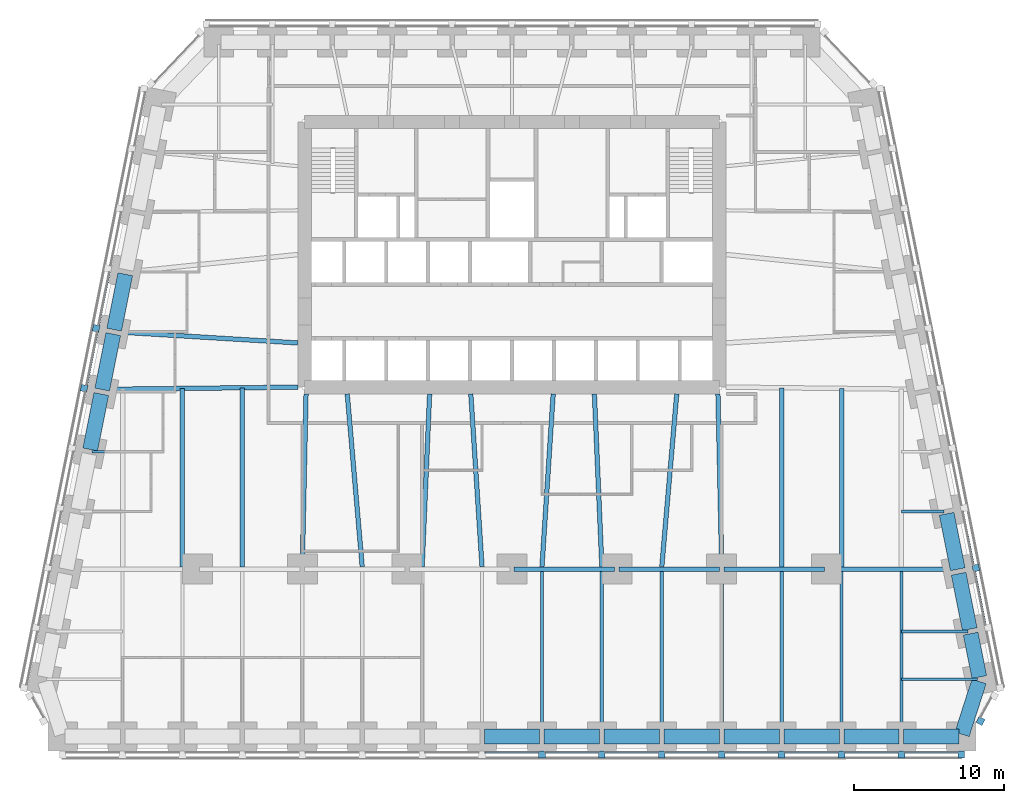
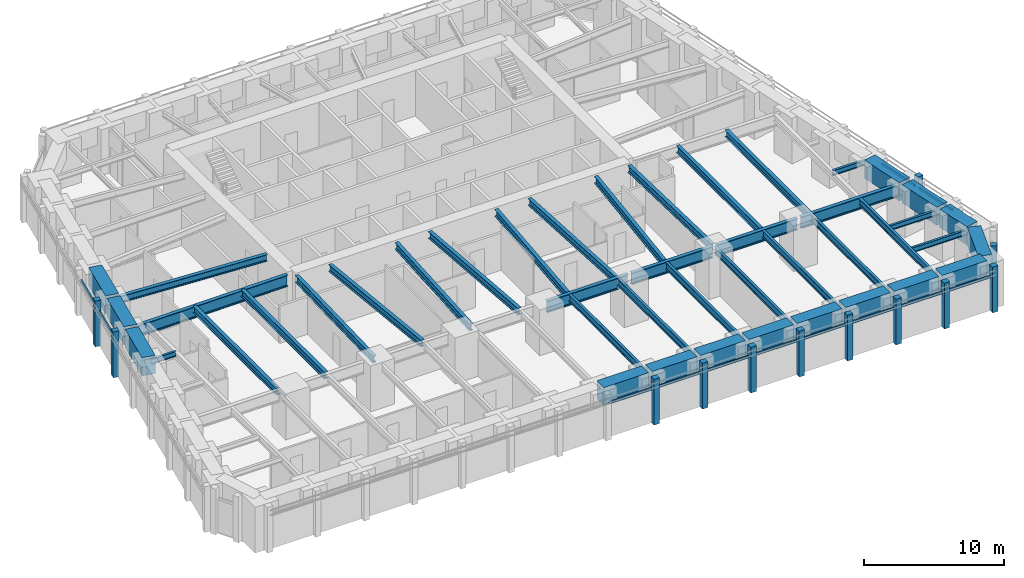
# One storey, part 2 of 10: 44 beams, 24 members, 4 elements without a shape of their own.
"""IFC4 building model written with IfcOpenShell, lengths in metres."""

from ifc_helpers import new_model, si_unit, direction, frame, origin, origin_2d, place, context, subcontext, project, spatial, rectangle, i_section, extrude, material, material_profile, profile_set, type_object, element, aggregate, save


model = new_model("IFC4")

# Units and contexts
model_context = context("Model", 3, precision=1e-05, world=origin(), true_north=direction((0.0, 1.0)))
body_context = subcontext(model_context, "Body", "Model", "MODEL_VIEW")
ifc_project = project(units=[si_unit("LENGTHUNIT", "METRE"), si_unit("AREAUNIT", "SQUARE_METRE"), si_unit("VOLUMEUNIT", "CUBIC_METRE"), si_unit("PLANEANGLEUNIT", "RADIAN"), si_unit("MASSUNIT", "GRAM", prefix="KILO")], contexts=[model_context])

# Site, building, storey
site_placement = place(None, origin())
site = spatial("IfcSite", under=ifc_project, at=site_placement, CompositionType="ELEMENT")
building_placement = place(site_placement, origin())
building = spatial("IfcBuilding", under=site, at=building_placement, Name="Isbrekke Arena Tower", CompositionType="ELEMENT")
storey_placement = place(building_placement, frame((0.0, 0.0, 56.0)))
storey = spatial("IfcBuildingStorey", under=building, at=storey_placement, Name="L11", CompositionType="ELEMENT", Elevation=56.0)

# Beams
ifc_material_1 = material(Name="Steel S355", Category="steel")
ifc_material_profile_1 = material_profile(ifc_material_1, i_section(OverallWidth=0.219970703125, OverallDepth=0.60009765625, WebThickness=0.011962890625, FlangeThickness=0.01904296875, FilletRadius=0.02392578125, at=origin_2d()), Name="IPE 600")
ifc_profile_set_1 = profile_set([ifc_material_profile_1], Name="Steel S355")
beam_type_1 = type_object("IfcBeamType", Name="B1 IPE 600", PredefinedType="BEAM", material=ifc_profile_set_1)
for number, where, z_axis, x_axis, name in (
    (1, (2.0, -17.02490234375, 3.550048828125), (0.0, 1.0, 0.0), (-1.0, 0.0, 0.0), "B1 beam S-S09 L11"),
    (2, (6.0, -17.02490234375, 3.550048828125), (0.0, 1.0, 0.0), (-1.0, 0.0, 0.0), "B1 beam S-S10 L11"),
    (3, (10.0, -17.02490234375, 3.550048828125), (0.0, 1.0, 0.0), (-1.0, 0.0, 0.0), "B1 beam S-S11 L11"),
):
    element("IfcBeam", number, at=place(storey_placement, frame(where, z_axis=z_axis, x_axis=x_axis)), inside=storey, type_object=beam_type_1, Name=name, PredefinedType="BEAM", context=body_context, shape_type="SweptSolid", body=[
        extrude(i_section(OverallWidth=0.219970703125, OverallDepth=0.60009765625, WebThickness=0.011962890625, FlangeThickness=0.01904296875, FilletRadius=0.02392578125, at=origin_2d()), origin(), (0.0, 0.0, 1.0), 10.8740234375),
    ])
beam_1_placement = place(storey_placement, frame((14.0, -17.02490234375, 3.550048828125), z_axis=(0.0, 1.0, 0.0), x_axis=(-1.0, 0.0, 0.0)))
element("IfcBeam", 4, at=beam_1_placement, inside=storey, type_object=beam_type_1, Name="B1 beam S-S12 L11", PredefinedType="BEAM", context=body_context, shape_type="SweptSolid", body=[
    extrude(i_section(OverallWidth=0.219970703125, OverallDepth=0.60009765625, WebThickness=0.011962890625, FlangeThickness=0.01904296875, FilletRadius=0.02392578125, at=origin_2d()), origin(), (0.0, 0.0, 1.0), 10.875),
])
for number, where, z_axis, x_axis, name in (
    (5, (18.0, -17.02490234375, 3.550048828125), (0.0, 1.0, 0.0), (-1.0, 0.0, 0.0), "B1 beam S-S13 L11"),
    (6, (22.0, -17.02490234375, 3.550048828125), (0.0, 1.0, 0.0), (-1.0, 0.0, 0.0), "B1 beam S-S14 L11"),
    (7, (26.0, -17.02490234375, 3.550048828125), (0.0, 1.0, 0.0), (-1.0, 0.0, 0.0), "B1 beam S-S15 L11"),
):
    element("IfcBeam", number, at=place(storey_placement, frame(where, z_axis=z_axis, x_axis=x_axis)), inside=storey, type_object=beam_type_1, Name=name, PredefinedType="BEAM", context=body_context, shape_type="SweptSolid", body=[
        extrude(i_section(OverallWidth=0.219970703125, OverallDepth=0.60009765625, WebThickness=0.011962890625, FlangeThickness=0.01904296875, FilletRadius=0.02392578125, at=origin_2d()), origin(), (0.0, 0.0, 1.0), 10.8740234375),
    ])
ifc_material_2 = material(Name="Steel S355", Category="steel")
ifc_material_profile_2 = material_profile(ifc_material_2, i_section(OverallWidth=0.18994140625, OverallDepth=0.449951171875, WebThickness=0.009521484375, FlangeThickness=0.0146484375, FilletRadius=0.02099609375, at=origin_2d()), Name="IPE 450")
ifc_profile_set_2 = profile_set([ifc_material_profile_2], Name="Steel S355")
beam_type_2 = type_object("IfcBeamType", Name="B2 IPE 450", PredefinedType="BEAM", material=ifc_profile_set_2)
beam_2_placement = place(storey_placement, frame((31.079345703125, -13.352783203125, 3.625), z_axis=(-1.0, 0.0, 0.0), x_axis=(0.0, -1.0, 0.0)))
element("IfcBeam", 8, at=beam_2_placement, inside=storey, type_object=beam_type_2, Name="B2 beam E-E01 L11", PredefinedType="BEAM", context=body_context, shape_type="SweptSolid", body=[
    extrude(i_section(OverallWidth=0.18994140625, OverallDepth=0.449951171875, WebThickness=0.009521484375, FlangeThickness=0.0146484375, FilletRadius=0.02099609375, at=origin_2d()), origin(), (0.0, 0.0, 1.0), 5.079345703125),
])
beam_3_placement = place(storey_placement, frame((30.44091796875, -10.161865234375, 3.625), z_axis=(-1.0, 0.0, 0.0), x_axis=(0.0, -1.0, 0.0)))
element("IfcBeam", 9, at=beam_3_placement, inside=storey, type_object=beam_type_2, Name="B2 beam E-E02 L11", PredefinedType="BEAM", context=body_context, shape_type="SweptSolid", body=[
    extrude(i_section(OverallWidth=0.18994140625, OverallDepth=0.449951171875, WebThickness=0.009521484375, FlangeThickness=0.0146484375, FilletRadius=0.02099609375, at=origin_2d()), origin(), (0.0, 0.0, 1.0), 4.44091796875),
])
beam_4_placement = place(storey_placement, frame((28.841064453125, -2.161865234375, 3.625), z_axis=(-1.0, 0.0, 0.0), x_axis=(0.0, -1.0, 0.0)))
element("IfcBeam", 10, at=beam_4_placement, inside=storey, type_object=beam_type_2, Name="B2 beam E-E04 L11", PredefinedType="BEAM", context=body_context, shape_type="SweptSolid", body=[
    extrude(i_section(OverallWidth=0.18994140625, OverallDepth=0.449951171875, WebThickness=0.009521484375, FlangeThickness=0.0146484375, FilletRadius=0.02099609375, at=origin_2d()), origin(), (0.0, 0.0, 1.0), 2.841064453125),
])
beam_5_placement = place(storey_placement, frame((-28.041015625, 1.838134765625, 3.625), z_axis=(1.0, 0.0, 0.0), x_axis=(0.0, 1.0, 0.0)))
element("IfcBeam", 11, at=beam_5_placement, inside=storey, type_object=beam_type_2, Name="B2 beam E-W07 L11", PredefinedType="BEAM", context=body_context, shape_type="SweptSolid", body=[
    extrude(i_section(OverallWidth=0.18994140625, OverallDepth=0.449951171875, WebThickness=0.009521484375, FlangeThickness=0.0146484375, FilletRadius=0.02099609375, at=origin_2d()), origin(), (0.0, 0.0, 1.0), 2.041015625),
])
ifc_material_3 = material(Name="Steel S355", Category="steel")
ifc_material_profile_3 = material_profile(ifc_material_3, i_section(OverallWidth=0.300048828125, OverallDepth=0.60009765625, WebThickness=0.015380859375, FlangeThickness=0.030029296875, FilletRadius=0.027099609375, at=origin_2d()), Name="HEB 600")
ifc_profile_set_3 = profile_set([ifc_material_profile_3], Name="Steel S355")
beam_type_3 = type_object("IfcBeamType", Name="B7 HEB 600", PredefinedType="BEAM", material=ifc_profile_set_3)
beam_6_placement = place(storey_placement, frame((-22.0, -5.84912109375, 3.550048828125), z_axis=(0.0, 1.0, 0.0), x_axis=(-1.0, 0.0, 0.0)))
element("IfcBeam", 12, at=beam_6_placement, inside=storey, type_object=beam_type_3, Name="B7 beam C-M02 L11", PredefinedType="BEAM", context=body_context, shape_type="SweptSolid", body=[
    extrude(i_section(OverallWidth=0.300048828125, OverallDepth=0.60009765625, WebThickness=0.015380859375, FlangeThickness=0.030029296875, FilletRadius=0.027099609375, at=origin_2d()), origin(), (0.0, 0.0, 1.0), 11.910888671875),
])
beam_7_placement = place(storey_placement, frame((-18.0, -5.84912109375, 3.550048828125), z_axis=(0.0, 1.0, 0.0), x_axis=(-1.0, 0.0, 0.0)))
element("IfcBeam", 13, at=beam_7_placement, inside=storey, type_object=beam_type_3, Name="B7 beam C-M03 L11", PredefinedType="BEAM", context=body_context, shape_type="SweptSolid", body=[
    extrude(i_section(OverallWidth=0.300048828125, OverallDepth=0.60009765625, WebThickness=0.015380859375, FlangeThickness=0.030029296875, FilletRadius=0.027099609375, at=origin_2d()), origin(), (0.0, 0.0, 1.0), 11.956787109375),
])
beam_8_placement = place(storey_placement, frame((-14.0, -5.8466796875, 3.550048828125), z_axis=(0.021646264273, 0.999765692171, 0.0), x_axis=(-0.999765692171, 0.021646264273, 0.0)))
element("IfcBeam", 14, at=beam_8_placement, inside=storey, type_object=beam_type_3, Name="B7 beam C-M04 L11", PredefinedType="BEAM", context=body_context, shape_type="SweptSolid", body=[
    extrude(i_section(OverallWidth=0.300048828125, OverallDepth=0.60009765625, WebThickness=0.015380859375, FlangeThickness=0.030029296875, FilletRadius=0.027099609375, at=origin_2d()), origin(), (0.0, 0.0, 1.0), 11.54931640625),
])
beam_9_placement = place(storey_placement, frame((-10.001220703125, -5.836181640625, 3.550048828125), z_axis=(-0.086255671377, 0.996273034442, 0.0), x_axis=(-0.996273034442, -0.086255671377, 0.0)))
element("IfcBeam", 15, at=beam_9_placement, inside=storey, type_object=beam_type_3, Name="B7 beam C-M05 L11", PredefinedType="BEAM", context=body_context, shape_type="SweptSolid", body=[
    extrude(i_section(OverallWidth=0.300048828125, OverallDepth=0.60009765625, WebThickness=0.015380859375, FlangeThickness=0.030029296875, FilletRadius=0.027099609375, at=origin_2d()), origin(), (0.0, 0.0, 1.0), 11.579345703125),
])
beam_10_placement = place(storey_placement, frame((-5.999755859375, -5.842529296875, 3.550048828125), z_axis=(0.04325656756, 0.99906399663, 0.0), x_axis=(-0.99906399663, 0.04325656756, 0.0)))
element("IfcBeam", 16, at=beam_10_placement, inside=storey, type_object=beam_type_3, Name="B7 beam C-M06 L11", PredefinedType="BEAM", context=body_context, shape_type="SweptSolid", body=[
    extrude(i_section(OverallWidth=0.300048828125, OverallDepth=0.60009765625, WebThickness=0.015380859375, FlangeThickness=0.030029296875, FilletRadius=0.027099609375, at=origin_2d()), origin(), (0.0, 0.0, 1.0), 11.55322265625),
])
for number, where, z_axis, x_axis, name in (
    (17, (-2.000732421875, -5.83935546875, 3.550048828125), (-0.064795318476, 0.997898575359, 0.0), (-0.997898575359, -0.064795318476, 0.0), "B7 beam C-M07 L11"),
    (18, (2.000732421875, -5.83935546875, 3.550048828125), (0.064795318476, 0.997898575359, 0.0), (-0.997898575359, 0.064795318476, 0.0), "B7 beam C-M08 L11"),
):
    element("IfcBeam", number, at=place(storey_placement, frame(where, z_axis=z_axis, x_axis=x_axis)), inside=storey, type_object=beam_type_3, Name=name, PredefinedType="BEAM", context=body_context, shape_type="SweptSolid", body=[
        extrude(i_section(OverallWidth=0.300048828125, OverallDepth=0.60009765625, WebThickness=0.015380859375, FlangeThickness=0.030029296875, FilletRadius=0.027099609375, at=origin_2d()), origin(), (0.0, 0.0, 1.0), 11.563720703125),
    ])
beam_11_placement = place(storey_placement, frame((5.999755859375, -5.842529296875, 3.550048828125), z_axis=(-0.04325656756, 0.99906399663, 0.0), x_axis=(-0.99906399663, -0.04325656756, 0.0)))
element("IfcBeam", 19, at=beam_11_placement, inside=storey, type_object=beam_type_3, Name="B7 beam C-M09 L11", PredefinedType="BEAM", context=body_context, shape_type="SweptSolid", body=[
    extrude(i_section(OverallWidth=0.300048828125, OverallDepth=0.60009765625, WebThickness=0.015380859375, FlangeThickness=0.030029296875, FilletRadius=0.027099609375, at=origin_2d()), origin(), (0.0, 0.0, 1.0), 11.55322265625),
])
beam_12_placement = place(storey_placement, frame((10.001220703125, -5.836181640625, 3.550048828125), z_axis=(0.086255671377, 0.996273034442, 0.0), x_axis=(-0.996273034442, 0.086255671377, 0.0)))
element("IfcBeam", 20, at=beam_12_placement, inside=storey, type_object=beam_type_3, Name="B7 beam C-M10 L11", PredefinedType="BEAM", context=body_context, shape_type="SweptSolid", body=[
    extrude(i_section(OverallWidth=0.300048828125, OverallDepth=0.60009765625, WebThickness=0.015380859375, FlangeThickness=0.030029296875, FilletRadius=0.027099609375, at=origin_2d()), origin(), (0.0, 0.0, 1.0), 11.579345703125),
])
beam_13_placement = place(storey_placement, frame((14.0, -5.8466796875, 3.550048828125), z_axis=(-0.021646264273, 0.999765692171, 0.0), x_axis=(-0.999765692171, -0.021646264273, 0.0)))
element("IfcBeam", 21, at=beam_13_placement, inside=storey, type_object=beam_type_3, Name="B7 beam C-M11 L11", PredefinedType="BEAM", context=body_context, shape_type="SweptSolid", body=[
    extrude(i_section(OverallWidth=0.300048828125, OverallDepth=0.60009765625, WebThickness=0.015380859375, FlangeThickness=0.030029296875, FilletRadius=0.027099609375, at=origin_2d()), origin(), (0.0, 0.0, 1.0), 11.54931640625),
])
beam_14_placement = place(storey_placement, frame((18.0, -5.84912109375, 3.550048828125), z_axis=(0.0, 1.0, 0.0), x_axis=(-1.0, 0.0, 0.0)))
element("IfcBeam", 22, at=beam_14_placement, inside=storey, type_object=beam_type_3, Name="B7 beam C-M12 L11", PredefinedType="BEAM", context=body_context, shape_type="SweptSolid", body=[
    extrude(i_section(OverallWidth=0.300048828125, OverallDepth=0.60009765625, WebThickness=0.015380859375, FlangeThickness=0.030029296875, FilletRadius=0.027099609375, at=origin_2d()), origin(), (0.0, 0.0, 1.0), 11.956787109375),
])
beam_15_placement = place(storey_placement, frame((22.0, -5.84912109375, 3.550048828125), z_axis=(0.0, 1.0, 0.0), x_axis=(-1.0, 0.0, 0.0)))
element("IfcBeam", 23, at=beam_15_placement, inside=storey, type_object=beam_type_3, Name="B7 beam C-M13 L11", PredefinedType="BEAM", context=body_context, shape_type="SweptSolid", body=[
    extrude(i_section(OverallWidth=0.300048828125, OverallDepth=0.60009765625, WebThickness=0.015380859375, FlangeThickness=0.030029296875, FilletRadius=0.027099609375, at=origin_2d()), origin(), (0.0, 0.0, 1.0), 11.910888671875),
])
beam_16_placement = place(storey_placement, frame((-26.431884765625, 9.837646484375, 3.550048828125), z_axis=(0.998157121592, -0.060682457223, 0.0), x_axis=(0.060682457223, 0.998157121592, 0.0)))
element("IfcBeam", 24, at=beam_16_placement, inside=storey, type_object=beam_type_3, Name="B7 beam E-W05 L11", PredefinedType="BEAM", context=body_context, shape_type="SweptSolid", body=[
    extrude(i_section(OverallWidth=0.300048828125, OverallDepth=0.60009765625, WebThickness=0.015380859375, FlangeThickness=0.030029296875, FilletRadius=0.027099609375, at=origin_2d()), origin(), (0.0, 0.0, 1.0), 12.154296875),
])

# Curtain wall, members
ifc_material_4 = material(Name="Glazed aluminium curtain wall", Category="aluminium")
curtain_wall_type = type_object("IfcCurtainWallType", Name="CWL TOWER CURTAIN WALL LOW ZONE", PredefinedType="USERDEFINED", material=ifc_material_4)
curtain_wall_1_placement = place(storey_placement, origin())
curtain_wall_1 = element("IfcCurtainWall", 25, at=curtain_wall_1_placement, inside=storey, type_object=curtain_wall_type, Name="CWL curtain wall L11-S", ObjectType="TOWER CURTAIN WALL LOW ZONE", PredefinedType="USERDEFINED")
ifc_material_5 = material(Name="Aluminium mullion, pale brick slip cladding", Category="masonry")
ifc_material_profile_4 = material_profile(ifc_material_5, rectangle(XDim=0.449951171875, YDim=0.449951171875, at=origin_2d()), Name="PIER 450X450")
ifc_profile_set_4 = profile_set([ifc_material_profile_4], Name="Aluminium mullion, pale brick slip cladding")
member_type_1 = type_object("IfcMemberType", Name="CWL-M PIER MULLION 450 x 450", PredefinedType="MULLION", material=ifc_profile_set_4)
member_1_placement = place(storey_placement, frame((2.0, -18.375, 0.0), z_axis=(0.0, 0.0, 1.0), x_axis=(1.0, 0.0, 0.0)))
member_1 = element("IfcMember", 26, at=member_1_placement, type_object=member_type_1, Name="CWL-M mullion 9", PredefinedType="MULLION", context=body_context, shape_type="SweptSolid", body=[
    extrude(rectangle(XDim=0.449951171875, YDim=0.449951171875, at=origin_2d()), origin(), (0.0, 0.0, 1.0), 4.0),
])
member_2_placement = place(storey_placement, frame((6.0, -18.375, 0.0), z_axis=(0.0, 0.0, 1.0), x_axis=(1.0, 0.0, 0.0)))
member_2 = element("IfcMember", 27, at=member_2_placement, type_object=member_type_1, Name="CWL-M mullion 10", PredefinedType="MULLION", context=body_context, shape_type="SweptSolid", body=[
    extrude(rectangle(XDim=0.449951171875, YDim=0.449951171875, at=origin_2d()), origin(), (0.0, 0.0, 1.0), 4.0),
])
member_3_placement = place(storey_placement, frame((10.0, -18.375, 0.0), z_axis=(0.0, 0.0, 1.0), x_axis=(1.0, 0.0, 0.0)))
member_3 = element("IfcMember", 28, at=member_3_placement, type_object=member_type_1, Name="CWL-M mullion 11", PredefinedType="MULLION", context=body_context, shape_type="SweptSolid", body=[
    extrude(rectangle(XDim=0.449951171875, YDim=0.449951171875, at=origin_2d()), origin(), (0.0, 0.0, 1.0), 4.0),
])
member_4_placement = place(storey_placement, frame((14.0, -18.375, 0.0), z_axis=(0.0, 0.0, 1.0), x_axis=(1.0, 0.0, 0.0)))
member_4 = element("IfcMember", 29, at=member_4_placement, type_object=member_type_1, Name="CWL-M mullion 12", PredefinedType="MULLION", context=body_context, shape_type="SweptSolid", body=[
    extrude(rectangle(XDim=0.449951171875, YDim=0.449951171875, at=origin_2d()), origin(), (0.0, 0.0, 1.0), 4.0),
])
member_5_placement = place(storey_placement, frame((18.0, -18.375, 0.0), z_axis=(0.0, 0.0, 1.0), x_axis=(1.0, 0.0, 0.0)))
member_5 = element("IfcMember", 30, at=member_5_placement, type_object=member_type_1, Name="CWL-M mullion 13", PredefinedType="MULLION", context=body_context, shape_type="SweptSolid", body=[
    extrude(rectangle(XDim=0.449951171875, YDim=0.449951171875, at=origin_2d()), origin(), (0.0, 0.0, 1.0), 4.0),
])
member_6_placement = place(storey_placement, frame((22.0, -18.375, 0.0), z_axis=(0.0, 0.0, 1.0), x_axis=(1.0, 0.0, 0.0)))
member_6 = element("IfcMember", 31, at=member_6_placement, type_object=member_type_1, Name="CWL-M mullion 14", PredefinedType="MULLION", context=body_context, shape_type="SweptSolid", body=[
    extrude(rectangle(XDim=0.449951171875, YDim=0.449951171875, at=origin_2d()), origin(), (0.0, 0.0, 1.0), 4.0),
])
member_7_placement = place(storey_placement, frame((26.0, -18.375, 0.0), z_axis=(0.0, 0.0, 1.0), x_axis=(1.0, 0.0, 0.0)))
member_7 = element("IfcMember", 32, at=member_7_placement, type_object=member_type_1, Name="CWL-M mullion 15", PredefinedType="MULLION", context=body_context, shape_type="SweptSolid", body=[
    extrude(rectangle(XDim=0.449951171875, YDim=0.449951171875, at=origin_2d()), origin(), (0.0, 0.0, 1.0), 4.0),
])
member_8_placement = place(storey_placement, frame((30.0, -18.375, 0.0), z_axis=(0.0, 0.0, 1.0), x_axis=(1.0, 0.0, 0.0)))
member_8 = element("IfcMember", 33, at=member_8_placement, type_object=member_type_1, Name="CWL-M mullion 16", PredefinedType="MULLION", context=body_context, shape_type="SweptSolid", body=[
    extrude(rectangle(XDim=0.449951171875, YDim=0.449951171875, at=origin_2d()), origin(), (0.0, 0.0, 1.0), 4.0),
])

# Curtain wall, member
curtain_wall_2_placement = place(storey_placement, origin())
curtain_wall_2 = element("IfcCurtainWall", 34, at=curtain_wall_2_placement, inside=storey, type_object=curtain_wall_type, Name="CWL curtain wall L11-SE", ObjectType="TOWER CURTAIN WALL LOW ZONE", PredefinedType="USERDEFINED")
member_9_placement = place(storey_placement, frame((31.2783203125, -16.142822265625, 0.0), z_axis=(0.0, 0.0, 1.0), x_axis=(0.481918749773, 0.876215908676, 0.0)))
member_9 = element("IfcMember", 35, at=member_9_placement, type_object=member_type_1, Name="CWL-M mullion 1", PredefinedType="MULLION", context=body_context, shape_type="SweptSolid", body=[
    extrude(rectangle(XDim=0.449951171875, YDim=0.449951171875, at=origin_2d()), origin(), (0.0, 0.0, 1.0), 4.0),
])
aggregate(curtain_wall_2, [member_9])

curtain_wall_3_placement = place(storey_placement, origin())
curtain_wall_3 = element("IfcCurtainWall", 36, at=curtain_wall_3_placement, inside=storey, type_object=curtain_wall_type, Name="CWL curtain wall L11-E", ObjectType="TOWER CURTAIN WALL LOW ZONE", PredefinedType="USERDEFINED")
member_10_placement = place(storey_placement, frame((30.9677734375, -5.926513671875, 0.0), z_axis=(0.0, 0.0, 1.0), x_axis=(-0.196116135138, 0.980580675691, 0.0)))
member_10 = element("IfcMember", 37, at=member_10_placement, type_object=member_type_1, Name="CWL-M mullion 3", PredefinedType="MULLION", context=body_context, shape_type="SweptSolid", body=[
    extrude(rectangle(XDim=0.449951171875, YDim=0.449951171875, at=origin_2d()), origin(), (0.0, 0.0, 1.0), 4.0),
])

# Curtain wall, members
curtain_wall_4_placement = place(storey_placement, origin())
curtain_wall_4 = element("IfcCurtainWall", 38, at=curtain_wall_4_placement, inside=storey, type_object=curtain_wall_type, Name="CWL curtain wall L11-W", ObjectType="TOWER CURTAIN WALL LOW ZONE", PredefinedType="USERDEFINED")
member_11_placement = place(storey_placement, frame((-27.767822265625, 10.073486328125, 0.0), z_axis=(0.0, 0.0, 1.0), x_axis=(-0.196116135138, -0.980580675691, 0.0)))
member_11 = element("IfcMember", 39, at=member_11_placement, type_object=member_type_1, Name="CWL-M mullion 5", PredefinedType="MULLION", context=body_context, shape_type="SweptSolid", body=[
    extrude(rectangle(XDim=0.449951171875, YDim=0.449951171875, at=origin_2d()), origin(), (0.0, 0.0, 1.0), 4.0),
])
member_12_placement = place(storey_placement, frame((-28.567626953125, 6.073486328125, 0.0), z_axis=(0.0, 0.0, 1.0), x_axis=(-0.196116135138, -0.980580675691, 0.0)))
member_12 = element("IfcMember", 40, at=member_12_placement, type_object=member_type_1, Name="CWL-M mullion 6", PredefinedType="MULLION", context=body_context, shape_type="SweptSolid", body=[
    extrude(rectangle(XDim=0.449951171875, YDim=0.449951171875, at=origin_2d()), origin(), (0.0, 0.0, 1.0), 4.0),
])

# Member
ifc_material_6 = material(Name="Aluminium transom", Category="aluminium")
ifc_material_profile_5 = material_profile(ifc_material_6, rectangle(XDim=0.1201171875, YDim=0.199951171875, at=origin_2d()), Name="TRANSOM 120X200")
ifc_profile_set_5 = profile_set([ifc_material_profile_5], Name="Aluminium transom")
member_type_2 = type_object("IfcMemberType", Name="CWL-T TRANSOM 120 x 200", PredefinedType="USERDEFINED", material=ifc_profile_set_5)
member_13_placement = place(storey_placement, frame((-1.77490234375, -18.25, 3.0), z_axis=(1.0, 0.0, 0.0), x_axis=(0.0, 1.0, 0.0)))
member_13 = element("IfcMember", 41, at=member_13_placement, type_object=member_type_2, Name="CWL-T transom 8", ObjectType="TRANSOM", PredefinedType="USERDEFINED", context=body_context, shape_type="SweptSolid", body=[
    extrude(rectangle(XDim=0.1201171875, YDim=0.199951171875, at=origin_2d()), origin(), (0.0, 0.0, 1.0), 3.5498046875),
])

member_14_placement = place(storey_placement, frame((2.22509765625, -18.25, 3.0), z_axis=(1.0, 0.0, 0.0), x_axis=(0.0, 1.0, 0.0)))
member_14 = element("IfcMember", 42, at=member_14_placement, type_object=member_type_2, Name="CWL-T transom 9", ObjectType="TRANSOM", PredefinedType="USERDEFINED", context=body_context, shape_type="SweptSolid", body=[
    extrude(rectangle(XDim=0.1201171875, YDim=0.199951171875, at=origin_2d()), origin(), (0.0, 0.0, 1.0), 3.5498046875),
])

member_15_placement = place(storey_placement, frame((6.22509765625, -18.25, 3.0), z_axis=(1.0, 0.0, 0.0), x_axis=(0.0, 1.0, 0.0)))
member_15 = element("IfcMember", 43, at=member_15_placement, type_object=member_type_2, Name="CWL-T transom 10", ObjectType="TRANSOM", PredefinedType="USERDEFINED", context=body_context, shape_type="SweptSolid", body=[
    extrude(rectangle(XDim=0.1201171875, YDim=0.199951171875, at=origin_2d()), origin(), (0.0, 0.0, 1.0), 3.5498046875),
])

member_16_placement = place(storey_placement, frame((10.22509765625, -18.25, 3.0), z_axis=(1.0, 0.0, 0.0), x_axis=(0.0, 1.0, 0.0)))
member_16 = element("IfcMember", 44, at=member_16_placement, type_object=member_type_2, Name="CWL-T transom 11", ObjectType="TRANSOM", PredefinedType="USERDEFINED", context=body_context, shape_type="SweptSolid", body=[
    extrude(rectangle(XDim=0.1201171875, YDim=0.199951171875, at=origin_2d()), origin(), (0.0, 0.0, 1.0), 3.5498046875),
])

member_17_placement = place(storey_placement, frame((14.22509765625, -18.25, 3.0), z_axis=(1.0, 0.0, 0.0), x_axis=(0.0, 1.0, 0.0)))
member_17 = element("IfcMember", 45, at=member_17_placement, type_object=member_type_2, Name="CWL-T transom 12", ObjectType="TRANSOM", PredefinedType="USERDEFINED", context=body_context, shape_type="SweptSolid", body=[
    extrude(rectangle(XDim=0.1201171875, YDim=0.199951171875, at=origin_2d()), origin(), (0.0, 0.0, 1.0), 3.5498046875),
])

member_18_placement = place(storey_placement, frame((18.22509765625, -18.25, 3.0), z_axis=(1.0, 0.0, 0.0), x_axis=(0.0, 1.0, 0.0)))
member_18 = element("IfcMember", 46, at=member_18_placement, type_object=member_type_2, Name="CWL-T transom 13", ObjectType="TRANSOM", PredefinedType="USERDEFINED", context=body_context, shape_type="SweptSolid", body=[
    extrude(rectangle(XDim=0.1201171875, YDim=0.199951171875, at=origin_2d()), origin(), (0.0, 0.0, 1.0), 3.5498046875),
])

member_19_placement = place(storey_placement, frame((22.22509765625, -18.25, 3.0), z_axis=(1.0, 0.0, 0.0), x_axis=(0.0, 1.0, 0.0)))
member_19 = element("IfcMember", 47, at=member_19_placement, type_object=member_type_2, Name="CWL-T transom 14", ObjectType="TRANSOM", PredefinedType="USERDEFINED", context=body_context, shape_type="SweptSolid", body=[
    extrude(rectangle(XDim=0.1201171875, YDim=0.199951171875, at=origin_2d()), origin(), (0.0, 0.0, 1.0), 3.5498046875),
])

member_20_placement = place(storey_placement, frame((26.22509765625, -18.25, 3.0), z_axis=(1.0, 0.0, 0.0), x_axis=(0.0, 1.0, 0.0)))
member_20 = element("IfcMember", 48, at=member_20_placement, type_object=member_type_2, Name="CWL-T transom 15", ObjectType="TRANSOM", PredefinedType="USERDEFINED", context=body_context, shape_type="SweptSolid", body=[
    extrude(rectangle(XDim=0.1201171875, YDim=0.199951171875, at=origin_2d()), origin(), (0.0, 0.0, 1.0), 3.5498046875),
])

aggregate(curtain_wall_1, [member_1, member_2, member_3, member_4, member_5, member_6, member_7, member_8, member_13, member_14, member_15, member_16, member_17, member_18, member_19, member_20])

member_21_placement = place(storey_placement, frame((31.60107421875, -9.730224609375, 3.0), z_axis=(-0.196167883278, 0.980570324643, 0.0), x_axis=(-0.980570324643, -0.196167883278, 0.0)))
member_21 = element("IfcMember", 49, at=member_21_placement, type_object=member_type_2, Name="CWL-T transom 2", ObjectType="TRANSOM", PredefinedType="USERDEFINED", context=body_context, shape_type="SweptSolid", body=[
    extrude(rectangle(XDim=0.1201171875, YDim=0.199951171875, at=origin_2d()), origin(), (0.0, 0.0, 1.0), 3.629150390625),
])

member_22_placement = place(storey_placement, frame((30.801025390625, -5.730224609375, 3.0), z_axis=(-0.196103197847, 0.98058326306, 0.0), x_axis=(-0.98058326306, -0.196103197847, 0.0)))
member_22 = element("IfcMember", 50, at=member_22_placement, type_object=member_type_2, Name="CWL-T transom 3", ObjectType="TRANSOM", PredefinedType="USERDEFINED", context=body_context, shape_type="SweptSolid", body=[
    extrude(rectangle(XDim=0.1201171875, YDim=0.199951171875, at=origin_2d()), origin(), (0.0, 0.0, 1.0), 3.629150390625),
])

aggregate(curtain_wall_3, [member_10, member_21, member_22])

member_23_placement = place(storey_placement, frame((-26.88916015625, 13.828369140625, 3.0), z_axis=(-0.196167883278, -0.980570324643, 0.0), x_axis=(0.980570324643, -0.196167883278, 0.0)))
member_23 = element("IfcMember", 51, at=member_23_placement, type_object=member_type_2, Name="CWL-T transom 4", ObjectType="TRANSOM", PredefinedType="USERDEFINED", context=body_context, shape_type="SweptSolid", body=[
    extrude(rectangle(XDim=0.1201171875, YDim=0.199951171875, at=origin_2d()), origin(), (0.0, 0.0, 1.0), 3.629150390625),
])

member_24_placement = place(storey_placement, frame((-27.689208984375, 9.828369140625, 3.0), z_axis=(-0.196167883278, -0.980570324643, 0.0), x_axis=(0.980570324643, -0.196167883278, 0.0)))
member_24 = element("IfcMember", 52, at=member_24_placement, type_object=member_type_2, Name="CWL-T transom 5", ObjectType="TRANSOM", PredefinedType="USERDEFINED", context=body_context, shape_type="SweptSolid", body=[
    extrude(rectangle(XDim=0.1201171875, YDim=0.199951171875, at=origin_2d()), origin(), (0.0, 0.0, 1.0), 3.629150390625),
])

aggregate(curtain_wall_4, [member_11, member_12, member_23, member_24])

# Beams
ifc_material_7 = material(Name="Steel S355", Category="steel")
ifc_material_profile_6 = material_profile(ifc_material_7, i_section(OverallWidth=0.302001953125, OverallDepth=1.008056640625, WebThickness=0.02099609375, FlangeThickness=0.0400390625, FilletRadius=0.030029296875, at=origin_2d()), Name="HEM 1000")
ifc_profile_set_6 = profile_set([ifc_material_profile_6], Name="Steel S355")
beam_type_4 = type_object("IfcBeamType", Name="G1 HEM 1000", PredefinedType="BEAM", material=ifc_profile_set_6)
for number, where, z_axis, x_axis, name in (
    (53, (0.14990234375, -6.0, 3.345947265625), (1.0, 0.0, 0.0), (0.0, 1.0, 0.0), "G1 beam G1-05 L11"),
    (54, (7.14990234375, -6.0, 3.345947265625), (1.0, 0.0, 0.0), (0.0, 1.0, 0.0), "G1 beam G1-06 L11"),
    (55, (14.14990234375, -6.0, 3.345947265625), (1.0, 0.0, 0.0), (0.0, 1.0, 0.0), "G1 beam G1-07 L11"),
):
    element("IfcBeam", number, at=place(storey_placement, frame(where, z_axis=z_axis, x_axis=x_axis)), inside=storey, type_object=beam_type_4, Name=name, PredefinedType="BEAM", context=body_context, shape_type="SweptSolid", body=[
        extrude(i_section(OverallWidth=0.302001953125, OverallDepth=1.008056640625, WebThickness=0.02099609375, FlangeThickness=0.0400390625, FilletRadius=0.030029296875, at=origin_2d()), origin(), (0.0, 0.0, 1.0), 6.7001953125),
    ])
beam_17_placement = place(storey_placement, frame((21.14990234375, -6.0, 3.345947265625), z_axis=(1.0, 0.0, 0.0), x_axis=(0.0, 1.0, 0.0)))
element("IfcBeam", 56, at=beam_17_placement, inside=storey, type_object=beam_type_4, Name="G1 beam G1-08 L11", PredefinedType="BEAM", context=body_context, shape_type="SweptSolid", body=[
    extrude(i_section(OverallWidth=0.302001953125, OverallDepth=1.008056640625, WebThickness=0.02099609375, FlangeThickness=0.0400390625, FilletRadius=0.030029296875, at=origin_2d()), origin(), (0.0, 0.0, 1.0), 8.64111328125),
])
ifc_material_8 = material(Name="Steel S355", Category="steel")
ifc_material_profile_7 = material_profile(ifc_material_8, i_section(OverallWidth=0.302001953125, OverallDepth=1.008056640625, WebThickness=0.02099609375, FlangeThickness=0.0400390625, FilletRadius=0.030029296875, at=origin_2d()), Name="HEM 1000")
ifc_profile_set_7 = profile_set([ifc_material_profile_7], Name="Steel S355")
beam_type_5 = type_object("IfcBeamType", Name="G2 HEM 1000", PredefinedType="BEAM", material=ifc_profile_set_7)
beam_18_placement = place(storey_placement, frame((-14.300048828125, 6.14990234375, 3.345947265625), z_axis=(-0.999934429634, -0.011451481699, 0.0), x_axis=(0.011451481699, -0.999934429634, 0.0)))
element("IfcBeam", 57, at=beam_18_placement, inside=storey, type_object=beam_type_5, Name="G2 beam G2-W L11", PredefinedType="BEAM", context=body_context, shape_type="SweptSolid", body=[
    extrude(i_section(OverallWidth=0.302001953125, OverallDepth=1.008056640625, WebThickness=0.02099609375, FlangeThickness=0.0400390625, FilletRadius=0.030029296875, at=origin_2d()), origin(), (0.0, 0.0, 1.0), 13.09033203125),
])
ifc_material_9 = material(Name="Concrete B90 (C90/105)", Category="concrete")
ifc_material_profile_8 = material_profile(ifc_material_9, rectangle(XDim=1.0, YDim=1.60009765625, at=origin_2d()), Name="RC 1000x1600")
ifc_profile_set_8 = profile_set([ifc_material_profile_8], Name="Concrete B90 (C90/105)")
beam_type_6 = type_object("IfcBeamType", Name="SB1 RC 1000 x 1600", PredefinedType="SPANDREL", material=ifc_profile_set_8)
for number, where, z_axis, x_axis, name in (
    (58, (-1.85009765625, -17.175048828125, 3.199951171875), (1.0, 0.0, 0.0), (0.0, 1.0, 0.0), "SB1 spandrel S08-S09 L11"),
    (59, (2.14990234375, -17.175048828125, 3.199951171875), (1.0, 0.0, 0.0), (0.0, 1.0, 0.0), "SB1 spandrel S09-S10 L11"),
    (60, (6.14990234375, -17.175048828125, 3.199951171875), (1.0, 0.0, 0.0), (0.0, 1.0, 0.0), "SB1 spandrel S10-S11 L11"),
    (61, (10.14990234375, -17.175048828125, 3.199951171875), (1.0, 0.0, 0.0), (0.0, 1.0, 0.0), "SB1 spandrel S11-S12 L11"),
    (62, (14.14990234375, -17.175048828125, 3.199951171875), (1.0, 0.0, 0.0), (0.0, 1.0, 0.0), "SB1 spandrel S12-S13 L11"),
    (63, (18.14990234375, -17.175048828125, 3.199951171875), (1.0, 0.0, 0.0), (0.0, 1.0, 0.0), "SB1 spandrel S13-S14 L11"),
    (64, (22.14990234375, -17.175048828125, 3.199951171875), (1.0, 0.0, 0.0), (0.0, 1.0, 0.0), "SB1 spandrel S14-S15 L11"),
    (65, (26.14990234375, -17.175048828125, 3.199951171875), (1.0, 0.0, 0.0), (0.0, 1.0, 0.0), "SB1 spandrel S15-S16 L11"),
):
    element("IfcBeam", number, at=place(storey_placement, frame(where, z_axis=z_axis, x_axis=x_axis)), inside=storey, type_object=beam_type_6, Name=name, PredefinedType="SPANDREL", context=body_context, shape_type="SweptSolid", body=[
        extrude(rectangle(XDim=1.0, YDim=1.60009765625, at=origin_2d()), origin(), (0.0, 0.0, 1.0), 3.7001953125),
    ])
beam_19_placement = place(storey_placement, frame((30.0458984375, -17.0322265625, 3.199951171875), z_axis=(0.306175101476, 0.951975213562, 0.0), x_axis=(-0.951975213562, 0.306175101476, 0.0)))
element("IfcBeam", 66, at=beam_19_placement, inside=storey, type_object=beam_type_6, Name="SB1 spandrel S16-E01 L11", PredefinedType="SPANDREL", context=body_context, shape_type="SweptSolid", body=[
    extrude(rectangle(XDim=1.0, YDim=1.60009765625, at=origin_2d()), origin(), (0.0, 0.0, 1.0), 3.715087890625),
])
beam_20_placement = place(storey_placement, frame((31.19970703125, -13.205810546875, 3.199951171875), z_axis=(-0.196100243168, 0.980583853951, 0.0), x_axis=(-0.980583853951, -0.196100243168, 0.0)))
element("IfcBeam", 67, at=beam_20_placement, inside=storey, type_object=beam_type_6, Name="SB1 spandrel E01-E02 L11", PredefinedType="SPANDREL", context=body_context, shape_type="SweptSolid", body=[
    extrude(rectangle(XDim=1.0, YDim=1.60009765625, at=origin_2d()), origin(), (0.0, 0.0, 1.0), 2.954345703125),
])
beam_21_placement = place(storey_placement, frame((30.5615234375, -10.0146484375, 3.199951171875), z_axis=(-0.1960664412, 0.980590613169, 0.0), x_axis=(-0.980590613169, -0.1960664412, 0.0)))
element("IfcBeam", 68, at=beam_21_placement, inside=storey, type_object=beam_type_6, Name="SB1 spandrel E02-E03 L11", PredefinedType="SPANDREL", context=body_context, shape_type="SweptSolid", body=[
    extrude(rectangle(XDim=1.0, YDim=1.60009765625, at=origin_2d()), origin(), (0.0, 0.0, 1.0), 3.779052734375),
])
beam_22_placement = place(storey_placement, frame((29.76171875, -6.0146484375, 3.199951171875), z_axis=(-0.196128558387, 0.980578190959, 0.0), x_axis=(-0.980578190959, -0.196128558387, 0.0)))
element("IfcBeam", 69, at=beam_22_placement, inside=storey, type_object=beam_type_6, Name="SB1 spandrel E03-E04 L11", PredefinedType="SPANDREL", context=body_context, shape_type="SweptSolid", body=[
    extrude(rectangle(XDim=1.0, YDim=1.60009765625, at=origin_2d()), origin(), (0.0, 0.0, 1.0), 3.779296875),
])
beam_23_placement = place(storey_placement, frame((-25.820556640625, 13.691162109375, 3.199951171875), z_axis=(-0.1960664412, -0.980590613169, 0.0), x_axis=(0.980590613169, -0.1960664412, 0.0)))
element("IfcBeam", 70, at=beam_23_placement, inside=storey, type_object=beam_type_6, Name="SB1 spandrel W04-W05 L11", PredefinedType="SPANDREL", context=body_context, shape_type="SweptSolid", body=[
    extrude(rectangle(XDim=1.0, YDim=1.60009765625, at=origin_2d()), origin(), (0.0, 0.0, 1.0), 3.779052734375),
])
for number, where, z_axis, x_axis, name in (
    (71, (-26.620361328125, 9.691162109375, 3.199951171875), (-0.196128558387, -0.980578190959, 0.0), (0.980578190959, -0.196128558387, 0.0), "SB1 spandrel W05-W06 L11"),
    (72, (-27.42041015625, 5.691162109375, 3.199951171875), (-0.196128558387, -0.980578190959, 0.0), (0.980578190959, -0.196128558387, 0.0), "SB1 spandrel W06-W07 L11"),
):
    element("IfcBeam", number, at=place(storey_placement, frame(where, z_axis=z_axis, x_axis=x_axis)), inside=storey, type_object=beam_type_6, Name=name, PredefinedType="SPANDREL", context=body_context, shape_type="SweptSolid", body=[
        extrude(rectangle(XDim=1.0, YDim=1.60009765625, at=origin_2d()), origin(), (0.0, 0.0, 1.0), 3.779296875),
    ])

save(model, "model.ifc")
